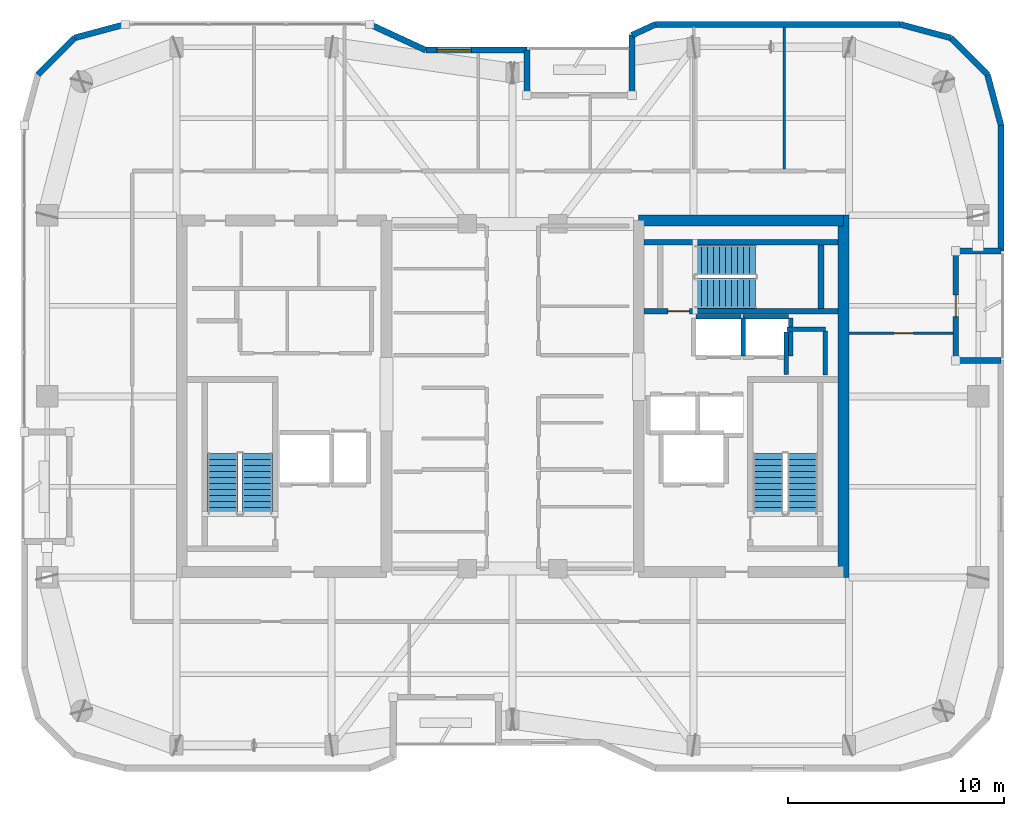
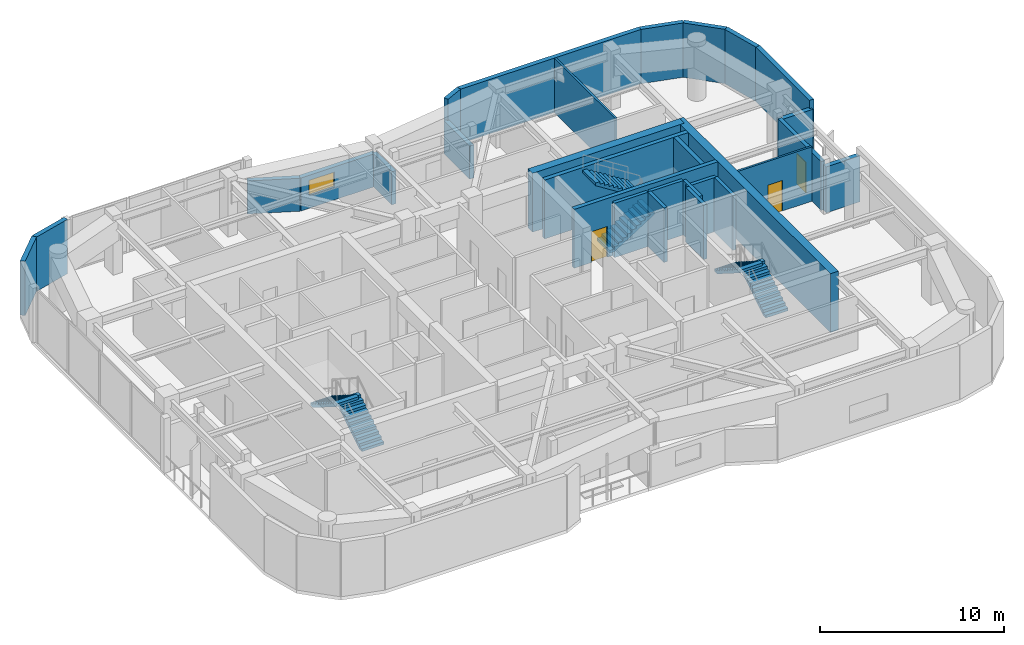
# One storey, part 13 of 15: 29 walls, 6 stair flights, 3 doors, 1 window, 4 openings, 3 elements without a shape of their own.
"""IFC4 building model written with IfcOpenShell, lengths in metres."""

from ifc_helpers import new_model, si_unit, direction, frame, frame_2d, origin, place, context, subcontext, project, spatial, polyline, rectangle, outline, extrude, material, layer, layer_set, type_object, element, fill, aggregate, save


model = new_model("IFC4")

# Units and contexts
model_context = context("Model", 3, precision=1e-05, world=origin(), true_north=direction((0.0, 1.0)))
body_context = subcontext(model_context, "Body", "Model", "MODEL_VIEW")
ifc_project = project(units=[si_unit("LENGTHUNIT", "METRE"), si_unit("AREAUNIT", "SQUARE_METRE"), si_unit("VOLUMEUNIT", "CUBIC_METRE"), si_unit("PLANEANGLEUNIT", "RADIAN"), si_unit("MASSUNIT", "GRAM", prefix="KILO")], contexts=[model_context])

# Site, building, storey
site_placement = place(None, origin())
site = spatial("IfcSite", under=ifc_project, at=site_placement, CompositionType="ELEMENT")
building_placement = place(site_placement, origin())
building = spatial("IfcBuilding", under=site, at=building_placement, Name="Kiyonajd Concourse Tower", CompositionType="ELEMENT")
storey_placement = place(building_placement, frame((0.0, 0.0, 278.39990234375)))
storey = spatial("IfcBuildingStorey", under=building, at=storey_placement, Name="L70", CompositionType="ELEMENT", Elevation=278.39990234375)

# Walls
ifc_material_1 = material(Name="Concrete C60/75", Category="concrete")
ifc_layer_1 = layer(ifc_material_1, 0.5)
ifc_layer_set_1 = layer_set([ifc_layer_1], Name="Concrete C60/75")
wall_type_1 = type_object("IfcWallType", Name="WL-CORE-500", PredefinedType="SHEAR", material=ifc_layer_set_1)
wall_1_placement = place(storey_placement, frame((63.35009765625, 27.60009765625, 0.0), z_axis=(0.0, 0.0, 1.0), x_axis=(0.0, 1.0, 0.0)))
element("IfcWall", 1, at=wall_1_placement, inside=storey, type_object=wall_type_1, Name="L70 East Core Outer Shear Wall", PredefinedType="SHEAR", context=body_context, shape_type="SweptSolid", body=[
    extrude(rectangle(XDim=16.7998046875, YDim=0.5, at=frame_2d((8.39990234375, 0.0))), origin(), (0.0, 0.0, 1.0), 3.900146484375),
])
wall_2_placement = place(storey_placement, frame((53.85009765625, 44.14990234375, 0.0), z_axis=(0.0, 0.0, 1.0), x_axis=(1.0, 0.0, 0.0)))
element("IfcWall", 2, at=wall_2_placement, inside=storey, type_object=wall_type_1, Name="L70 East Core North Shear Wall", PredefinedType="SHEAR", context=body_context, shape_type="SweptSolid", body=[
    extrude(rectangle(XDim=9.5, YDim=0.5, at=frame_2d((4.75, 0.0))), origin(), (0.0, 0.0, 1.0), 3.900146484375),
])
ifc_material_2 = material(Name="Precast concrete C50/60", Category="concrete")
ifc_layer_2 = layer(ifc_material_2, 0.280029296875)
ifc_layer_set_2 = layer_set([ifc_layer_2], Name="Precast concrete C50/60")
wall_type_2 = type_object("IfcWallType", Name="WL-EXT-280", PredefinedType="SOLIDWALL", material=ifc_layer_set_2)
wall_3_placement = place(storey_placement, frame((25.968505859375, 50.927490234375, 0.0), z_axis=(0.0, 0.0, 1.0), x_axis=(0.707106781187, 0.707106781187, 0.0)))
element("IfcWall", 3, at=wall_3_placement, inside=storey, type_object=wall_type_2, Name="L70 Exterior Concrete Frame Wall 07", PredefinedType="SOLIDWALL", context=body_context, shape_type="SweptSolid", body=[
    extrude(rectangle(XDim=2.409912109375, YDim=0.280029296875, at=frame_2d((1.205078125, 0.0))), origin(), (0.0, 0.0, 1.0), 3.60009765625),
])
wall_4_placement = place(storey_placement, frame((27.672607421875, 52.631591796875, 0.0), z_axis=(0.0, 0.0, 1.0), x_axis=(0.965937282298, 0.25877628691, 0.0)))
element("IfcWall", 4, at=wall_4_placement, inside=storey, type_object=wall_type_2, Name="L70 Exterior Concrete Frame Wall 08", PredefinedType="SOLIDWALL", context=body_context, shape_type="SweptSolid", body=[
    extrude(rectangle(XDim=2.428466796875, YDim=0.280029296875, at=frame_2d((1.21435546875, 0.0))), origin(), (0.0, 0.0, 1.0), 3.60009765625),
])
wall_5_placement = place(storey_placement, frame((41.369384765625, 53.260009765625, 0.0), z_axis=(0.0, 0.0, 1.0), x_axis=(0.907956889006, -0.419063584324, 0.0)))
element("IfcWall", 5, at=wall_5_placement, inside=storey, type_object=wall_type_2, Name="L70 Exterior Concrete Frame Wall 10", PredefinedType="SOLIDWALL", context=body_context, shape_type="SweptSolid", body=[
    extrude(rectangle(XDim=2.863525390625, YDim=0.280029296875, at=frame_2d((1.431640625, 0.0))), origin(), (0.0, 0.0, 1.0), 2.18505859375),
])

# Wall, opening, window
wall_6_placement = place(storey_placement, frame((43.96923828125, 52.06005859375, 0.0), z_axis=(0.0, 0.0, 1.0), x_axis=(1.0, 0.0, 0.0)))
wall_6 = element("IfcWall", 6, at=wall_6_placement, inside=storey, type_object=wall_type_2, Name="L70 Exterior Concrete Frame Wall 11", PredefinedType="SOLIDWALL", context=body_context, shape_type="SweptSolid", body=[
    extrude(rectangle(XDim=4.690673828125, YDim=0.280029296875, at=frame_2d((2.34521484375, 0.0))), origin(), (0.0, 0.0, 1.0), 2.18505859375),
])
opening_1_placement = place(wall_6_placement, frame((0.510009765625, 0.0, 0.85009765625)))
opening_1 = element("IfcOpeningElement", 7, at=opening_1_placement, cuts=wall_6, Name="Opening WN6", PredefinedType="OPENING", context=body_context, shape_type="SweptSolid", body=[
    extrude(rectangle(XDim=1.60009765625, YDim=1.0, at=frame_2d((0.800048828125, 0.5))), frame((0.0, 0.14990234375, 0.0), z_axis=(0.0, -1.0, 0.0), x_axis=(1.0, 0.0, 0.0)), (0.0, 0.0, 1.0), 0.300048828125),
])
ifc_material_3 = material(Name="Double Low-E Insulated Glass", Category="glass")
window_type = type_object("IfcWindowType", Name="WN-VIS-1600x1000", PartitioningType="SINGLE_PANEL", PredefinedType="WINDOW", material=ifc_material_3)
window_placement = place(opening_1_placement, origin())
window = element("IfcWindow", 8, at=window_placement, inside=storey, type_object=window_type, Name="L70 Modular Facade Vision Window 11", OverallHeight=1.0, OverallWidth=1.60009765625, PartitioningType="SINGLE_PANEL", PredefinedType="WINDOW", context=body_context, shape_type="SweptSolid", body=[
    extrude(rectangle(XDim=1.60009765625, YDim=1.0, at=frame_2d((0.800048828125, 0.5))), frame((0.0, 0.030029296875, 0.0), z_axis=(0.0, -1.0, 0.0), x_axis=(1.0, 0.0, 0.0)), (0.0, 0.0, 1.0), 0.06005859375),
])
fill(opening_1, window)

# Walls
wall_7_placement = place(storey_placement, frame((48.659912109375, 52.06005859375, 0.0), z_axis=(0.0, 0.0, 1.0), x_axis=(0.0, -1.0, 0.0)))
element("IfcWall", 9, at=wall_7_placement, inside=storey, type_object=wall_type_2, Name="L70 Exterior Concrete Frame Wall 12", PredefinedType="SOLIDWALL", context=body_context, shape_type="SweptSolid", body=[
    extrude(rectangle(XDim=2.10009765625, YDim=0.280029296875, at=frame_2d((1.050048828125, 0.0))), origin(), (0.0, 0.0, 1.0), 2.18505859375),
])
wall_8_placement = place(storey_placement, frame((53.5400390625, 49.9599609375, 0.0), z_axis=(0.0, 0.0, 1.0), x_axis=(0.0, 1.0, 0.0)))
element("IfcWall", 10, at=wall_8_placement, inside=storey, type_object=wall_type_2, Name="L70 Exterior Concrete Frame Wall 14", PredefinedType="SOLIDWALL", context=body_context, shape_type="SweptSolid", body=[
    extrude(rectangle(XDim=2.79638671875, YDim=0.280029296875, at=frame_2d((1.398193359375, 0.0))), origin(), (0.0, 0.0, 1.0), 2.18505859375),
])
wall_9_placement = place(storey_placement, frame((53.5400390625, 52.75634765625, 0.0), z_axis=(0.0, 0.0, 1.0), x_axis=(0.907893953211, 0.419199916176, 0.0)))
element("IfcWall", 11, at=wall_9_placement, inside=storey, type_object=wall_type_2, Name="L70 Exterior Concrete Frame Wall 15", PredefinedType="SOLIDWALL", context=body_context, shape_type="SweptSolid", body=[
    extrude(rectangle(XDim=1.201416015625, YDim=0.280029296875, at=frame_2d((0.6005859375, 0.0))), origin(), (0.0, 0.0, 1.0), 3.60009765625),
])
wall_10_placement = place(storey_placement, frame((54.630859375, 53.260009765625, 0.0), z_axis=(0.0, 0.0, 1.0), x_axis=(1.0, 0.0, 0.0)))
element("IfcWall", 12, at=wall_10_placement, inside=storey, type_object=wall_type_2, Name="L70 Exterior Concrete Frame Wall 16", PredefinedType="SOLIDWALL", context=body_context, shape_type="SweptSolid", body=[
    extrude(rectangle(XDim=11.350830078125, YDim=0.280029296875, at=frame_2d((5.67529296875, 0.0))), origin(), (0.0, 0.0, 1.0), 3.60009765625),
])
wall_11_placement = place(storey_placement, frame((65.981689453125, 53.260009765625, 0.0), z_axis=(0.0, 0.0, 1.0), x_axis=(0.965937282298, -0.25877628691, 0.0)))
element("IfcWall", 13, at=wall_11_placement, inside=storey, type_object=wall_type_2, Name="L70 Exterior Concrete Frame Wall 17", PredefinedType="SOLIDWALL", context=body_context, shape_type="SweptSolid", body=[
    extrude(rectangle(XDim=2.428466796875, YDim=0.280029296875, at=frame_2d((1.21435546875, 0.0))), origin(), (0.0, 0.0, 1.0), 3.60009765625),
])
wall_12_placement = place(storey_placement, frame((68.327392578125, 52.631591796875, 0.0), z_axis=(0.0, 0.0, 1.0), x_axis=(0.707106781187, -0.707106781187, 0.0)))
element("IfcWall", 14, at=wall_12_placement, inside=storey, type_object=wall_type_2, Name="L70 Exterior Concrete Frame Wall 18", PredefinedType="SOLIDWALL", context=body_context, shape_type="SweptSolid", body=[
    extrude(rectangle(XDim=2.409912109375, YDim=0.280029296875, at=frame_2d((1.205078125, 0.0))), origin(), (0.0, 0.0, 1.0), 3.60009765625),
])
wall_13_placement = place(storey_placement, frame((70.031494140625, 50.927490234375, 0.0), z_axis=(0.0, 0.0, 1.0), x_axis=(0.258751159445, -0.965944013639, 0.0)))
element("IfcWall", 15, at=wall_13_placement, inside=storey, type_object=wall_type_2, Name="L70 Exterior Concrete Frame Wall 19", PredefinedType="SOLIDWALL", context=body_context, shape_type="SweptSolid", body=[
    extrude(rectangle(XDim=2.4287109375, YDim=0.280029296875, at=frame_2d((1.21435546875, 0.0))), origin(), (0.0, 0.0, 1.0), 3.60009765625),
])
wall_14_placement = place(storey_placement, frame((70.659912109375, 48.58154296875, 0.0), z_axis=(0.0, 0.0, 1.0), x_axis=(0.0, -1.0, 0.0)))
element("IfcWall", 16, at=wall_14_placement, inside=storey, type_object=wall_type_2, Name="L70 Exterior Concrete Frame Wall 20", PredefinedType="SOLIDWALL", context=body_context, shape_type="SweptSolid", body=[
    extrude(rectangle(XDim=5.841552734375, YDim=0.280029296875, at=frame_2d((2.9208984375, 0.0))), origin(), (0.0, 0.0, 1.0), 3.60009765625),
])
for number, where, z_axis, x_axis, name in (
    (17, (70.659912109375, 42.739990234375, 0.0), (0.0, 0.0, 1.0), (-1.0, 0.0, 0.0), "L70 Exterior Concrete Frame Wall 21"),
    (18, (68.56005859375, 37.659912109375, 0.0), (0.0, 0.0, 1.0), (1.0, 0.0, 0.0), "L70 Exterior Concrete Frame Wall 23"),
):
    element("IfcWall", number, at=place(storey_placement, frame(where, z_axis=z_axis, x_axis=x_axis)), inside=storey, type_object=wall_type_2, Name=name, PredefinedType="SOLIDWALL", context=body_context, shape_type="SweptSolid", body=[
        extrude(rectangle(XDim=2.099853515625, YDim=0.280029296875, at=frame_2d((1.0498046875, 0.0))), origin(), (0.0, 0.0, 1.0), 3.046142578125),
    ])

# Wall, opening, door
ifc_layer_3 = layer(ifc_material_2, 0.239990234375)
ifc_layer_set_3 = layer_set([ifc_layer_3], Name="Precast concrete C50/60")
wall_type_3 = type_object("IfcWallType", Name="WL-LOG-240", PredefinedType="SOLIDWALL", material=ifc_layer_set_3)
wall_15_placement = place(storey_placement, frame((68.56005859375, 42.544921875, 0.0), z_axis=(0.0, 0.0, 1.0), x_axis=(0.0, -1.0, 0.0)))
wall_15 = element("IfcWall", 19, at=wall_15_placement, inside=storey, type_object=wall_type_3, Name="L70 Recessed Loggia Thermal Wall LOG-E", PredefinedType="SOLIDWALL", context=body_context, shape_type="SweptSolid", body=[
    extrude(rectangle(XDim=4.68994140625, YDim=0.239990234375, at=frame_2d((2.344970703125, 0.0))), origin(), (0.0, 0.0, 1.0), 3.231201171875),
])
opening_2_placement = place(wall_15_placement, frame((1.844970703125, 0.0, 0.0)))
opening_2 = element("IfcOpeningElement", 20, at=opening_2_placement, cuts=wall_15, Name="Opening DL1", PredefinedType="OPENING", context=body_context, shape_type="SweptSolid", body=[
    extrude(rectangle(XDim=1.0, YDim=2.02001953125, at=frame_2d((0.5, 1.010009765625))), frame((0.0, 0.1298828125, 0.0), z_axis=(0.0, -1.0, 0.0), x_axis=(1.0, 0.0, 0.0)), (0.0, 0.0, 1.0), 0.260009765625),
])
ifc_material_4 = material(Name="Thermally Broken Anodised Aluminium", Category="aluminium")
door_type_1 = type_object("IfcDoorType", Name="DR-LOG-1000", OperationType="NOTDEFINED", PredefinedType="DOOR", material=ifc_material_4)
door_1_placement = place(opening_2_placement, origin())
door_1 = element("IfcDoor", 21, at=door_1_placement, inside=storey, type_object=door_type_1, Name="L70 Engawa Loggia Access Door LOG-E", OperationType="SINGLE_SWING_LEFT", OverallHeight=2.02001953125, OverallWidth=1.0, PredefinedType="DOOR", context=body_context, shape_type="SweptSolid", body=[
    extrude(rectangle(XDim=1.0, YDim=2.02001953125, at=frame_2d((0.5, 1.010009765625))), frame((0.0, 0.02490234375, 0.0), z_axis=(0.0, -1.0, 0.0), x_axis=(1.0, 0.0, 0.0)), (0.0, 0.0, 1.0), 0.050048828125),
])
fill(opening_2, door_1)

# Wall
ifc_material_5 = material(Name="Gypsum Board on Cold-Formed Steel Stud", Category="steel")
ifc_layer_4 = layer(ifc_material_5, 0.125)
ifc_layer_set_4 = layer_set([ifc_layer_4], Name="Gypsum Board on Cold-Formed Steel Stud")
wall_type_4 = type_object("IfcWallType", Name="WL-PART-125", PredefinedType="PARTITIONING", material=ifc_layer_set_4)
wall_16_placement = place(storey_placement, frame((60.60009765625, 46.537109375, 0.0), z_axis=(0.0, 0.0, 1.0), x_axis=(0.0, 1.0, 0.0)))
element("IfcWall", 22, at=wall_16_placement, inside=storey, type_object=wall_type_4, Name="L70 Interior Partition Wall", PredefinedType="PARTITIONING", context=body_context, shape_type="SweptSolid", body=[
    extrude(rectangle(XDim=6.587890625, YDim=0.125, at=frame_2d((3.2939453125, 0.0))), origin(), (0.0, 0.0, 1.0), 3.60009765625),
])

# Wall, opening, door
wall_17_placement = place(storey_placement, frame((63.60009765625, 38.929931640625, 0.0), z_axis=(0.0, 0.0, 1.0), x_axis=(1.0, 0.0, 0.0)))
wall_17 = element("IfcWall", 23, at=wall_17_placement, inside=storey, type_object=wall_type_4, Name="L70 Interior Partition Wall", PredefinedType="PARTITIONING", context=body_context, shape_type="SweptSolid", body=[
    extrude(rectangle(XDim=4.844970703125, YDim=0.125, at=frame_2d((2.42236328125, 0.0))), origin(), (0.0, 0.0, 1.0), 3.60009765625),
])
opening_3_placement = place(wall_17_placement, frame((2.10009765625, 0.0, 0.0)))
opening_3 = element("IfcOpeningElement", 24, at=opening_3_placement, cuts=wall_17, Name="Opening DI2", PredefinedType="OPENING", context=body_context, shape_type="SweptSolid", body=[
    extrude(rectangle(XDim=0.89990234375, YDim=2.02001953125, at=frame_2d((0.449951171875, 1.010009765625))), frame((0.0, 0.072509765625, 0.0), z_axis=(0.0, -1.0, 0.0), x_axis=(1.0, 0.0, 0.0)), (0.0, 0.0, 1.0), 0.14501953125),
])
ifc_material_6 = material(Name="Natural Oak Acoustic Timber Veneer", Category="wood")
door_type_2 = type_object("IfcDoorType", Name="DR-INT-900", OperationType="NOTDEFINED", PredefinedType="DOOR", material=ifc_material_6)
door_2_placement = place(opening_3_placement, origin())
door_2 = element("IfcDoor", 25, at=door_2_placement, inside=storey, type_object=door_type_2, Name="L70 Interior Door", OperationType="SINGLE_SWING_LEFT", OverallHeight=2.02001953125, OverallWidth=0.89990234375, PredefinedType="DOOR", context=body_context, shape_type="SweptSolid", body=[
    extrude(rectangle(XDim=0.89990234375, YDim=2.02001953125, at=frame_2d((0.449951171875, 1.010009765625))), frame((0.0, 0.02490234375, 0.0), z_axis=(0.0, -1.0, 0.0), x_axis=(1.0, 0.0, 0.0)), (0.0, 0.0, 1.0), 0.050048828125),
])
fill(opening_3, door_2)

# Walls
ifc_layer_5 = layer(ifc_material_5, 0.2099609375)
ifc_layer_set_5 = layer_set([ifc_layer_5], Name="Gypsum Board on Cold-Formed Steel Stud")
wall_type_5 = type_object("IfcWallType", Name="WL-SHAFT-210", PredefinedType="PARTITIONING", material=ifc_layer_set_5)
wall_18_placement = place(storey_placement, frame((60.719970703125, 39.10009765625, 0.0), z_axis=(0.0, 0.0, 1.0), x_axis=(1.0, 0.0, 0.0)))
element("IfcWall", 26, at=wall_18_placement, inside=storey, type_object=wall_type_5, Name="L70 Shaft Enclosure Wall", PredefinedType="PARTITIONING", context=body_context, shape_type="SweptSolid", body=[
    extrude(rectangle(XDim=1.800048828125, YDim=0.2099609375, at=frame_2d((0.89990234375, 0.0))), origin(), (0.0, 0.0, 1.0), 3.60009765625),
])
wall_19_placement = place(storey_placement, frame((60.699951171875, 37.02001953125, 0.0), z_axis=(0.0, 0.0, 1.0), x_axis=(0.0, 1.0, 0.0)))
element("IfcWall", 27, at=wall_19_placement, inside=storey, type_object=wall_type_5, Name="L70 Shaft Enclosure Wall", PredefinedType="PARTITIONING", context=body_context, shape_type="SweptSolid", body=[
    extrude(rectangle(XDim=1.9599609375, YDim=0.2099609375, at=frame_2d((0.97998046875, 0.0))), origin(), (0.0, 0.0, 1.0), 3.60009765625),
])
wall_20_placement = place(storey_placement, frame((62.5, 36.97998046875, 0.0), z_axis=(0.0, 0.0, 1.0), x_axis=(0.0, 1.0, 0.0)))
element("IfcWall", 28, at=wall_20_placement, inside=storey, type_object=wall_type_5, Name="L70 Shaft Enclosure Wall", PredefinedType="PARTITIONING", context=body_context, shape_type="SweptSolid", body=[
    extrude(rectangle(XDim=2.0400390625, YDim=0.2099609375, at=frame_2d((1.02001953125, 0.0))), origin(), (0.0, 0.0, 1.0), 3.60009765625),
])
wall_21_placement = place(storey_placement, frame((56.5, 39.699951171875, 0.0), z_axis=(0.0, 0.0, 1.0), x_axis=(1.0, 0.0, 0.0)))
element("IfcWall", 29, at=wall_21_placement, inside=storey, type_object=wall_type_5, Name="L70 Shaft Enclosure Wall", PredefinedType="PARTITIONING", context=body_context, shape_type="SweptSolid", body=[
    extrude(rectangle(XDim=2.10009765625, YDim=0.2099609375, at=frame_2d((1.050048828125, 0.0))), origin(), (0.0, 0.0, 1.0), 3.60009765625),
])
wall_22_placement = place(storey_placement, frame((58.699951171875, 37.860107421875, 0.0), z_axis=(0.0, 0.0, 1.0), x_axis=(0.0, 1.0, 0.0)))
element("IfcWall", 30, at=wall_22_placement, inside=storey, type_object=wall_type_5, Name="L70 Shaft Enclosure Wall", PredefinedType="PARTITIONING", context=body_context, shape_type="SweptSolid", body=[
    extrude(rectangle(XDim=1.77978515625, YDim=0.2099609375, at=frame_2d((0.889892578125, 0.0))), origin(), (0.0, 0.0, 1.0), 3.60009765625),
])
wall_23_placement = place(storey_placement, frame((58.699951171875, 39.699951171875, 0.0), z_axis=(0.0, 0.0, 1.0), x_axis=(1.0, 0.0, 0.0)))
element("IfcWall", 31, at=wall_23_placement, inside=storey, type_object=wall_type_5, Name="L70 Shaft Enclosure Wall", PredefinedType="PARTITIONING", context=body_context, shape_type="SweptSolid", body=[
    extrude(rectangle(XDim=2.10009765625, YDim=0.2099609375, at=frame_2d((1.050048828125, 0.0))), origin(), (0.0, 0.0, 1.0), 3.60009765625),
])
wall_24_placement = place(storey_placement, frame((60.89990234375, 37.860107421875, 0.0), z_axis=(0.0, 0.0, 1.0), x_axis=(0.0, 1.0, 0.0)))
element("IfcWall", 32, at=wall_24_placement, inside=storey, type_object=wall_type_5, Name="L70 Shaft Enclosure Wall", PredefinedType="PARTITIONING", context=body_context, shape_type="SweptSolid", body=[
    extrude(rectangle(XDim=1.77978515625, YDim=0.2099609375, at=frame_2d((0.889892578125, 0.0))), origin(), (0.0, 0.0, 1.0), 3.60009765625),
])

# Wall, opening, door
ifc_material_7 = material(Name="Concrete C50/60", Category="concrete")
ifc_layer_6 = layer(ifc_material_7, 0.260009765625)
ifc_layer_set_6 = layer_set([ifc_layer_6], Name="Concrete C50/60")
wall_type_6 = type_object("IfcWallType", Name="WL-STAIR-260", PredefinedType="SHEAR", material=ifc_layer_set_6)
wall_25_placement = place(storey_placement, frame((54.10009765625, 39.949951171875, 0.0), z_axis=(0.0, 0.0, 1.0), x_axis=(1.0, 0.0, 0.0)))
wall_25 = element("IfcWall", 33, at=wall_25_placement, inside=storey, type_object=wall_type_6, Name="L70 Stair ST3 Structural South Wall", PredefinedType="SHEAR", context=body_context, shape_type="SweptSolid", body=[
    extrude(rectangle(XDim=9.0, YDim=0.260009765625, at=frame_2d((4.5, 0.0))), origin(), (0.0, 0.0, 1.0), 3.900146484375),
])
opening_4_placement = place(wall_25_placement, frame((1.10009765625, 0.0, 0.0)))
opening_4 = element("IfcOpeningElement", 34, at=opening_4_placement, cuts=wall_25, Name="Opening DF1", PredefinedType="OPENING", context=body_context, shape_type="SweptSolid", body=[
    extrude(rectangle(XDim=1.0, YDim=2.0400390625, at=frame_2d((0.5, 1.02001953125))), frame((0.0, 0.139892578125, 0.0), z_axis=(0.0, -1.0, 0.0), x_axis=(1.0, 0.0, 0.0)), (0.0, 0.0, 1.0), 0.280029296875),
])
ifc_material_8 = material(Name="Brushed Stainless Steel Cab Assembly", Category="steel")
door_type_3 = type_object("IfcDoorType", Name="DR-FD90-1000", OperationType="NOTDEFINED", PredefinedType="DOOR", material=ifc_material_8)
door_3_placement = place(opening_4_placement, origin())
door_3 = element("IfcDoor", 35, at=door_3_placement, inside=storey, type_object=door_type_3, Name="L70 Stair ST3 Enclosure Door", OperationType="SINGLE_SWING_LEFT", OverallHeight=2.0400390625, OverallWidth=1.0, PredefinedType="DOOR", context=body_context, shape_type="SweptSolid", body=[
    extrude(rectangle(XDim=1.0, YDim=2.0400390625, at=frame_2d((0.5, 1.02001953125))), frame((0.0, 0.02490234375, 0.0), z_axis=(0.0, -1.0, 0.0), x_axis=(1.0, 0.0, 0.0)), (0.0, 0.0, 1.0), 0.050048828125),
])
fill(opening_4, door_3)

# Walls
wall_26_placement = place(storey_placement, frame((54.10009765625, 43.14990234375, 0.0), z_axis=(0.0, 0.0, 1.0), x_axis=(1.0, 0.0, 0.0)))
element("IfcWall", 36, at=wall_26_placement, inside=storey, type_object=wall_type_6, Name="L70 Stair ST3 Structural North Wall", PredefinedType="SHEAR", context=body_context, shape_type="SweptSolid", body=[
    extrude(rectangle(XDim=9.0, YDim=0.260009765625, at=frame_2d((4.5, 0.0))), origin(), (0.0, 0.0, 1.0), 3.900146484375),
])
wall_27_placement = place(storey_placement, frame((62.31005859375, 40.080078125, 0.0), z_axis=(0.0, 0.0, 1.0), x_axis=(0.0, 1.0, 0.0)))
element("IfcWall", 37, at=wall_27_placement, inside=storey, type_object=wall_type_6, Name="L70 Stair ST3 Structural East Wall", PredefinedType="SHEAR", context=body_context, shape_type="SweptSolid", body=[
    extrude(rectangle(XDim=2.93994140625, YDim=0.260009765625, at=frame_2d((1.469970703125, 0.0))), origin(), (0.0, 0.0, 1.0), 3.900146484375),
])

# Stair, stair flights
ifc_material_9 = material(Name="Concrete C40/50", Category="concrete")
stair_type = type_object("IfcStairType", Name="ST-DLG-22R", PredefinedType="HALF_TURN_STAIR", material=ifc_material_9)
stair_1_placement = place(storey_placement, origin())
stair_1 = element("IfcStair", 38, at=stair_1_placement, inside=storey, type_object=stair_type, Name="L70 Protected Exit Stair ST1", PredefinedType="HALF_TURN_STAIR")
stair_flight_type = type_object("IfcStairFlightType", Name="SF-STR-22R", PredefinedType="STRAIGHT", material=ifc_material_9)
stair_flight_1_placement = place(storey_placement, frame((36.14990234375, 30.550048828125, 0.0), z_axis=(0.0, 0.0, 1.0), x_axis=(0.0, 1.0, 0.0)))
stair_flight_1 = element("IfcStairFlight", 39, at=stair_flight_1_placement, type_object=stair_flight_type, Name="ST1 flight 1", NumberOfRisers=11, NumberOfTreads=10, PredefinedType="STRAIGHT", RiserHeight=0.177272727, TreadLength=0.28, context=body_context, shape_type="SweptSolid", body=[
    extrude(outline(polyline([(0.0, 0.0), (0.0, 0.17724609375), (0.280029296875, 0.17724609375), (0.280029296875, 0.3544921875), (0.56005859375, 0.3544921875), (0.56005859375, 0.53173828125), (0.840087890625, 0.53173828125), (0.840087890625, 0.708984375), (1.1201171875, 0.708984375), (1.1201171875, 0.886474609375), (1.39990234375, 0.886474609375), (1.39990234375, 1.063720703125), (1.679931640625, 1.063720703125), (1.679931640625, 1.240966796875), (1.9599609375, 1.240966796875), (1.9599609375, 1.418212890625), (2.239990234375, 1.418212890625), (2.239990234375, 1.595458984375), (2.52001953125, 1.595458984375), (2.52001953125, 1.772705078125), (2.800048828125, 1.772705078125), (2.800048828125, 1.949951171875), (2.800048828125, 1.59521484375), (0.2802734375, 0.0), (0.0, 0.0)])), frame((0.0, 0.699951171875, 0.0), z_axis=(0.0, -1.0, 0.0), x_axis=(1.0, 0.0, 0.0)), (0.0, 0.0, 1.0), 1.39990234375),
])
stair_flight_2_placement = place(storey_placement, frame((34.550048828125, 33.35009765625, 1.9501953125), z_axis=(0.0, 0.0, 1.0), x_axis=(0.0, -1.0, 0.0)))
stair_flight_2 = element("IfcStairFlight", 40, at=stair_flight_2_placement, type_object=stair_flight_type, Name="ST1 flight 2", NumberOfRisers=11, NumberOfTreads=10, PredefinedType="STRAIGHT", RiserHeight=0.177272727, TreadLength=0.28, context=body_context, shape_type="SweptSolid", body=[
    extrude(outline(polyline([(0.0, 0.0), (0.0, 0.17724609375), (0.280029296875, 0.17724609375), (0.280029296875, 0.3544921875), (0.56005859375, 0.3544921875), (0.56005859375, 0.53173828125), (0.840087890625, 0.53173828125), (0.840087890625, 0.708984375), (1.1201171875, 0.708984375), (1.1201171875, 0.886474609375), (1.39990234375, 0.886474609375), (1.39990234375, 1.063720703125), (1.679931640625, 1.063720703125), (1.679931640625, 1.240966796875), (1.9599609375, 1.240966796875), (1.9599609375, 1.418212890625), (2.239990234375, 1.418212890625), (2.239990234375, 1.595458984375), (2.52001953125, 1.595458984375), (2.52001953125, 1.772705078125), (2.800048828125, 1.772705078125), (2.800048828125, 1.949951171875), (2.800048828125, 1.59521484375), (0.2802734375, 0.0), (0.0, 0.0)])), frame((0.0, 0.699951171875, 0.0), z_axis=(0.0, -1.0, 0.0), x_axis=(1.0, 0.0, 0.0)), (0.0, 0.0, 1.0), 1.39990234375),
])
aggregate(stair_1, [stair_flight_1, stair_flight_2])

stair_2_placement = place(storey_placement, origin())
stair_2 = element("IfcStair", 41, at=stair_2_placement, inside=storey, type_object=stair_type, Name="L70 Protected Exit Stair ST2", PredefinedType="HALF_TURN_STAIR")
stair_flight_3_placement = place(storey_placement, frame((61.449951171875, 30.550048828125, 0.0), z_axis=(0.0, 0.0, 1.0), x_axis=(0.0, 1.0, 0.0)))
stair_flight_3 = element("IfcStairFlight", 42, at=stair_flight_3_placement, type_object=stair_flight_type, Name="ST2 flight 1", NumberOfRisers=11, NumberOfTreads=10, PredefinedType="STRAIGHT", RiserHeight=0.177272727, TreadLength=0.28, context=body_context, shape_type="SweptSolid", body=[
    extrude(outline(polyline([(0.0, 0.0), (0.0, 0.17724609375), (0.280029296875, 0.17724609375), (0.280029296875, 0.3544921875), (0.56005859375, 0.3544921875), (0.56005859375, 0.53173828125), (0.840087890625, 0.53173828125), (0.840087890625, 0.708984375), (1.1201171875, 0.708984375), (1.1201171875, 0.886474609375), (1.39990234375, 0.886474609375), (1.39990234375, 1.063720703125), (1.679931640625, 1.063720703125), (1.679931640625, 1.240966796875), (1.9599609375, 1.240966796875), (1.9599609375, 1.418212890625), (2.239990234375, 1.418212890625), (2.239990234375, 1.595458984375), (2.52001953125, 1.595458984375), (2.52001953125, 1.772705078125), (2.800048828125, 1.772705078125), (2.800048828125, 1.949951171875), (2.800048828125, 1.59521484375), (0.2802734375, 0.0), (0.0, 0.0)])), frame((0.0, 0.699951171875, 0.0), z_axis=(0.0, -1.0, 0.0), x_axis=(1.0, 0.0, 0.0)), (0.0, 0.0, 1.0), 1.39990234375),
])
stair_flight_4_placement = place(storey_placement, frame((59.85009765625, 33.35009765625, 1.9501953125), z_axis=(0.0, 0.0, 1.0), x_axis=(0.0, -1.0, 0.0)))
stair_flight_4 = element("IfcStairFlight", 43, at=stair_flight_4_placement, type_object=stair_flight_type, Name="ST2 flight 2", NumberOfRisers=11, NumberOfTreads=10, PredefinedType="STRAIGHT", RiserHeight=0.177272727, TreadLength=0.28, context=body_context, shape_type="SweptSolid", body=[
    extrude(outline(polyline([(0.0, 0.0), (0.0, 0.17724609375), (0.280029296875, 0.17724609375), (0.280029296875, 0.3544921875), (0.56005859375, 0.3544921875), (0.56005859375, 0.53173828125), (0.840087890625, 0.53173828125), (0.840087890625, 0.708984375), (1.1201171875, 0.708984375), (1.1201171875, 0.886474609375), (1.39990234375, 0.886474609375), (1.39990234375, 1.063720703125), (1.679931640625, 1.063720703125), (1.679931640625, 1.240966796875), (1.9599609375, 1.240966796875), (1.9599609375, 1.418212890625), (2.239990234375, 1.418212890625), (2.239990234375, 1.595458984375), (2.52001953125, 1.595458984375), (2.52001953125, 1.772705078125), (2.800048828125, 1.772705078125), (2.800048828125, 1.949951171875), (2.800048828125, 1.59521484375), (0.2802734375, 0.0), (0.0, 0.0)])), frame((0.0, 0.699951171875, 0.0), z_axis=(0.0, -1.0, 0.0), x_axis=(1.0, 0.0, 0.0)), (0.0, 0.0, 1.0), 1.39990234375),
])
aggregate(stair_2, [stair_flight_3, stair_flight_4])

stair_3_placement = place(storey_placement, origin())
stair_3 = element("IfcStair", 44, at=stair_3_placement, inside=storey, type_object=stair_type, Name="L70 Protected Exit Stair ST3", PredefinedType="HALF_TURN_STAIR")
stair_flight_5_placement = place(storey_placement, frame((56.47998046875, 40.780029296875, 0.0), z_axis=(0.0, 0.0, 1.0), x_axis=(1.0, 0.0, 0.0)))
stair_flight_5 = element("IfcStairFlight", 45, at=stair_flight_5_placement, type_object=stair_flight_type, Name="ST3 flight 1", NumberOfRisers=11, NumberOfTreads=10, PredefinedType="STRAIGHT", RiserHeight=0.177272727, TreadLength=0.28, context=body_context, shape_type="SweptSolid", body=[
    extrude(outline(polyline([(0.0, 0.0), (0.0, 0.17724609375), (0.280029296875, 0.17724609375), (0.280029296875, 0.3544921875), (0.56005859375, 0.3544921875), (0.56005859375, 0.53173828125), (0.840087890625, 0.53173828125), (0.840087890625, 0.708984375), (1.1201171875, 0.708984375), (1.1201171875, 0.886474609375), (1.39990234375, 0.886474609375), (1.39990234375, 1.063720703125), (1.679931640625, 1.063720703125), (1.679931640625, 1.240966796875), (1.9599609375, 1.240966796875), (1.9599609375, 1.418212890625), (2.239990234375, 1.418212890625), (2.239990234375, 1.595458984375), (2.52001953125, 1.595458984375), (2.52001953125, 1.772705078125), (2.800048828125, 1.772705078125), (2.800048828125, 1.949951171875), (2.800048828125, 1.59521484375), (0.2802734375, 0.0), (0.0, 0.0)])), frame((0.0, 0.699951171875, 0.0), z_axis=(0.0, -1.0, 0.0), x_axis=(1.0, 0.0, 0.0)), (0.0, 0.0, 1.0), 1.39990234375),
])
stair_flight_6_placement = place(storey_placement, frame((59.280029296875, 42.320068359375, 1.9501953125), z_axis=(0.0, 0.0, 1.0), x_axis=(-1.0, 0.0, 0.0)))
stair_flight_6 = element("IfcStairFlight", 46, at=stair_flight_6_placement, type_object=stair_flight_type, Name="ST3 flight 2", NumberOfRisers=11, NumberOfTreads=10, PredefinedType="STRAIGHT", RiserHeight=0.177272727, TreadLength=0.28, context=body_context, shape_type="SweptSolid", body=[
    extrude(outline(polyline([(0.0, 0.0), (0.0, 0.17724609375), (0.280029296875, 0.17724609375), (0.280029296875, 0.3544921875), (0.56005859375, 0.3544921875), (0.56005859375, 0.53173828125), (0.840087890625, 0.53173828125), (0.840087890625, 0.708984375), (1.1201171875, 0.708984375), (1.1201171875, 0.886474609375), (1.39990234375, 0.886474609375), (1.39990234375, 1.063720703125), (1.679931640625, 1.063720703125), (1.679931640625, 1.240966796875), (1.9599609375, 1.240966796875), (1.9599609375, 1.418212890625), (2.239990234375, 1.418212890625), (2.239990234375, 1.595458984375), (2.52001953125, 1.595458984375), (2.52001953125, 1.772705078125), (2.800048828125, 1.772705078125), (2.800048828125, 1.949951171875), (2.800048828125, 1.59521484375), (0.2802734375, 0.0), (0.0, 0.0)])), frame((0.0, 0.699951171875, 0.0), z_axis=(0.0, -1.0, 0.0), x_axis=(1.0, 0.0, 0.0)), (0.0, 0.0, 1.0), 1.39990234375),
])
aggregate(stair_3, [stair_flight_5, stair_flight_6])

save(model, "model.ifc")
